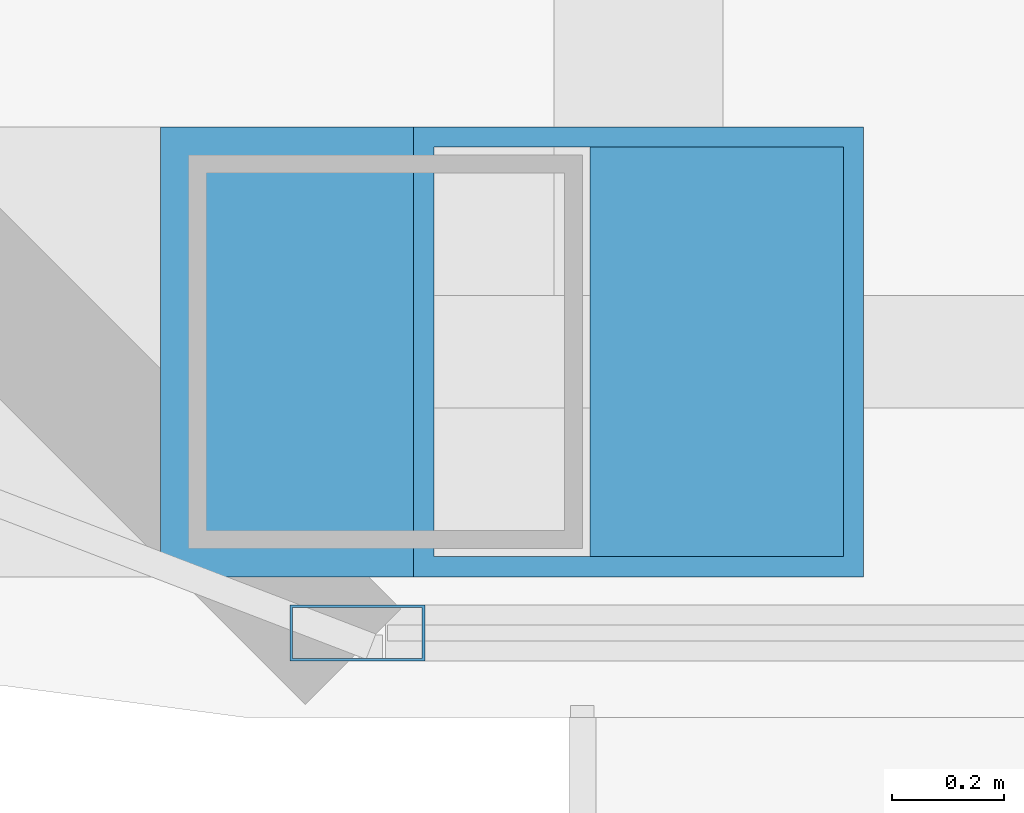
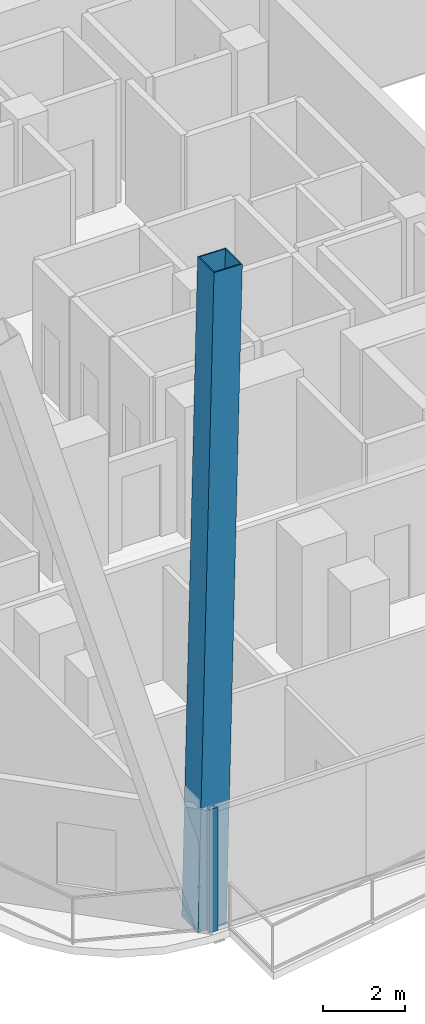
# One storey, part 2 of 32: 2 members, 1 element without a shape of its own.
"""IFC4 building model written with IfcOpenShell, lengths in metres."""

from ifc_helpers import new_model, si_unit, direction, frame, origin, origin_2d, place, context, subcontext, project, spatial, hollow_rectangle, extrude, material, layer, layer_set, material_profile, profile_set, type_object, element, aggregate, save


model = new_model("IFC4")

# Units and contexts
model_context = context("Model", 3, precision=1e-05, world=origin(), true_north=direction((0.0, 1.0)))
body_context = subcontext(model_context, "Body", "Model", "MODEL_VIEW")
ifc_project = project(units=[si_unit("LENGTHUNIT", "METRE"), si_unit("AREAUNIT", "SQUARE_METRE"), si_unit("VOLUMEUNIT", "CUBIC_METRE"), si_unit("PLANEANGLEUNIT", "RADIAN"), si_unit("MASSUNIT", "GRAM", prefix="KILO")], contexts=[model_context])

# Site, building, storey
site_placement = place(None, origin())
site = spatial("IfcSite", under=ifc_project, at=site_placement, CompositionType="ELEMENT")
building_placement = place(site_placement, origin())
building = spatial("IfcBuilding", under=site, at=building_placement, Name="Khorvyn Point Tower", CompositionType="ELEMENT")
storey_placement = place(building_placement, frame((0.0, 0.0, 148.5)))
storey = spatial("IfcBuildingStorey", under=building, at=storey_placement, Name="L37", CompositionType="ELEMENT", Elevation=148.5)

# Curtain wall, member
ifc_material_1 = material(Name="Anodised aluminium 6063-T6 and laminated Low-E glass", Category="aluminium")
ifc_layer = layer(ifc_material_1, 0.18994140625)
ifc_layer_set = layer_set([ifc_layer], Name="Stick-Built Acoustic Curtain Wall CW-SYS-03")
curtain_wall_type = type_object("IfcCurtainWallType", Name="Stick-Built Acoustic Curtain Wall CW-SYS-03", PredefinedType="NOTDEFINED", material=ifc_layer_set)
curtain_wall_placement = place(storey_placement, origin())
curtain_wall = element("IfcCurtainWall", 1, at=curtain_wall_placement, inside=storey, type_object=curtain_wall_type, Name="Curtain Wall", PredefinedType="NOTDEFINED")
ifc_material_2 = material(Name="Anodised aluminium 6063-T6", Category="aluminium")
ifc_material_profile_1 = material_profile(ifc_material_2, hollow_rectangle(XDim=0.10009765625, YDim=0.239990234375, WallThickness=0.0048828125, at=origin_2d()))
ifc_profile_set_1 = profile_set([ifc_material_profile_1], Name="Anodised aluminium 6063-T6 ALU-MUL-100x240")
member_type_1 = type_object("IfcMemberType", Name="Anodised Aluminium 6063-T6 Mullion ALU-MUL-100x240", PredefinedType="MULLION", material=ifc_profile_set_1)
member_1_placement = place(storey_placement, frame((-15.300048828125, -23.64990234375, 0.0), z_axis=(0.0, 0.0, 1.0), x_axis=(0.0, -1.0, 0.0)))
member_1 = element("IfcMember", 2, at=member_1_placement, type_object=member_type_1, Name="Transom", PredefinedType="MULLION", context=body_context, shape_type="SweptSolid", body=[
    extrude(hollow_rectangle(XDim=0.10009765625, YDim=0.239990234375, WallThickness=0.0048828125, at=origin_2d()), origin(), (0.0, 0.0, 1.0), 3.679931640625),
])
aggregate(curtain_wall, [member_1])

# Member
ifc_material_3 = material(Name="Steel S450", Category="steel")
ifc_material_profile_2 = material_profile(ifc_material_3, hollow_rectangle(XDim=0.800048828125, YDim=0.800048828125, WallThickness=0.035888671875, at=origin_2d()))
ifc_profile_set_2 = profile_set([ifc_material_profile_2], Name="Steel S450 BOX800x800x36")
member_type_2 = type_object("IfcMemberType", Name="Steel S450 Exoskeleton Structural Post BOX800x800x36", PredefinedType="POST", material=ifc_profile_set_2)
member_2_placement = place(storey_placement, frame((-15.25, -23.14990234375, 0.0), z_axis=(0.02306827878, 0.0, 0.99973389185), x_axis=(0.0, 1.0, 0.0)))
element("IfcMember", 3, at=member_2_placement, inside=storey, type_object=member_type_2, Name="L37 to L41 Exoskeleton Transfer Post 09", PredefinedType="POST", context=body_context, shape_type="SweptSolid", body=[
    extrude(hollow_rectangle(XDim=0.800048828125, YDim=0.800048828125, WallThickness=0.035888671875, at=origin_2d()), origin(), (0.0, 0.0, 1.0), 19.505126953125),
])

save(model, "model.ifc")
